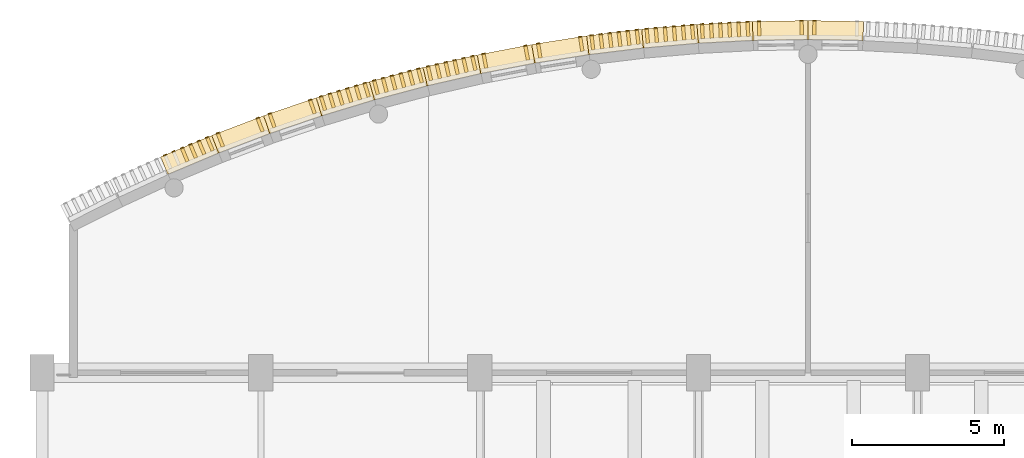
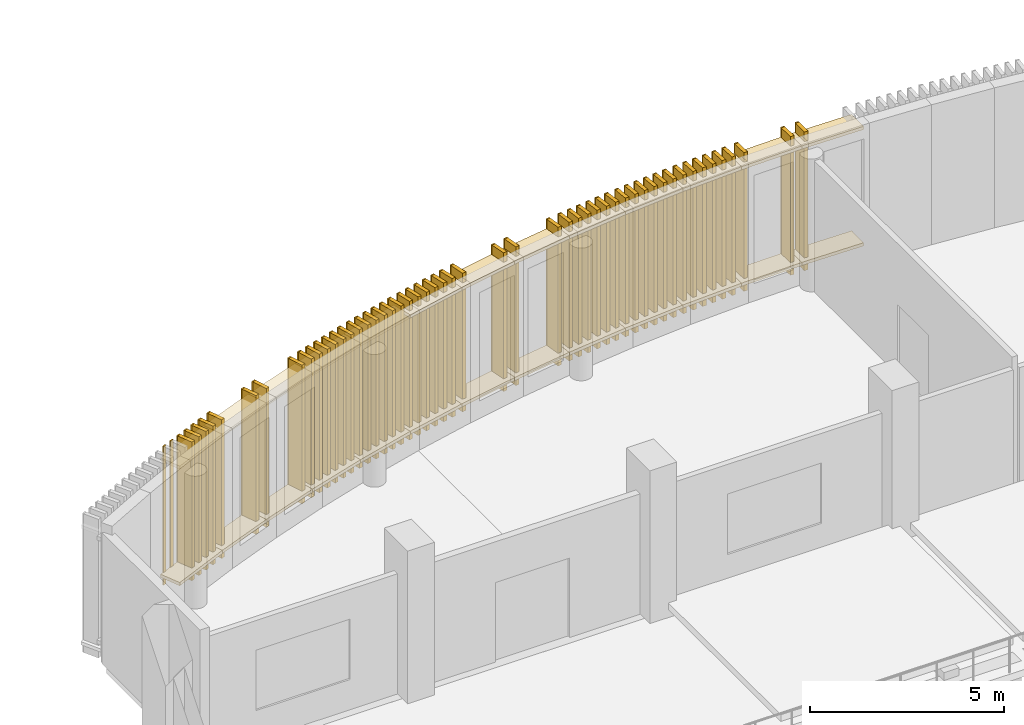
# One storey, part 66 of 71: 79 coverings, 51 shading devices.
"""IFC4 building model written with IfcOpenShell, lengths in metres."""

from ifc_helpers import new_model, si_unit, direction, frame, origin, origin_2d, place, context, subcontext, project, spatial, rectangle, extrude, material, layer, layer_set, type_object, element, save


model = new_model("IFC4")

# Units and contexts
model_context = context("Model", 3, precision=1e-05, world=origin(), true_north=direction((0.0, 1.0)))
body_context = subcontext(model_context, "Body", "Model", "MODEL_VIEW")
ifc_project = project(units=[si_unit("LENGTHUNIT", "METRE"), si_unit("AREAUNIT", "SQUARE_METRE"), si_unit("VOLUMEUNIT", "CUBIC_METRE"), si_unit("PLANEANGLEUNIT", "RADIAN"), si_unit("MASSUNIT", "GRAM", prefix="KILO")], contexts=[model_context])

# Site, building, storey
site_placement = place(None, origin())
site = spatial("IfcSite", under=ifc_project, at=site_placement, CompositionType="ELEMENT")
building_placement = place(site_placement, origin())
building = spatial("IfcBuilding", under=site, at=building_placement, Name="Sardonyx Promenade Sports Hall", CompositionType="ELEMENT")
storey_placement = place(building_placement, frame((0.0, 0.0, 16.0)))
storey = spatial("IfcBuildingStorey", under=building, at=storey_placement, Name="L03", CompositionType="ELEMENT", Elevation=16.0)

# Coverings
ifc_material_1 = material(Name="Glulam GL28h", Category="wood")
ifc_layer = layer(ifc_material_1, 0.110107421875)
ifc_layer_set = layer_set([ifc_layer], Name="Cov_Louvre_GL28h")
covering_type = type_object("IfcCoveringType", Name="Cov_Louvre_GL28h", PredefinedType="MOLDING", material=ifc_layer_set)
for number, where, z_axis, x_axis, name in (
    (1, (33.658447265625, 111.56884765625, 0.320068359375), (0.0, 0.0, 1.0), (0.921800239612, 0.387665214136, 0.0), "Bowed louvre carrier rail L03 CH03 #1"),
    (2, (33.658447265625, 111.56884765625, 3.97998046875), (0.0, 0.0, 1.0), (0.921800239612, 0.387665214136, 0.0), "Bowed louvre carrier rail L03 CH03 #2"),
):
    element("IfcCovering", number, at=place(storey_placement, frame(where, z_axis=z_axis, x_axis=x_axis)), inside=storey, type_object=covering_type, Name=name, PredefinedType="MOLDING", context=body_context, shape_type="SweptSolid", body=[
        extrude(rectangle(XDim=1.820068359375, YDim=0.6201171875, at=origin_2d()), origin(), (0.0, 0.0, 1.0), 0.10009765625),
    ])
for number, where, z_axis, x_axis, name in (
    (3, (32.846923828125, 111.56396484375, 0.02001953125), (0.0, 0.0, 1.0), (0.921800239612, 0.387665214136, 0.0), "Timber louvre nose molding L03 CH03 #1"),
    (4, (33.123291015625, 111.68017578125, 0.02001953125), (0.0, 0.0, 1.0), (0.921800239612, 0.387665214136, 0.0), "Timber louvre nose molding L03 CH03 #2"),
    (5, (33.39990234375, 111.796630859375, 0.02001953125), (0.0, 0.0, 1.0), (0.921800239612, 0.387665214136, 0.0), "Timber louvre nose molding L03 CH03 #3"),
    (6, (33.676513671875, 111.912841796875, 0.02001953125), (0.0, 0.0, 1.0), (0.921800239612, 0.387665214136, 0.0), "Timber louvre nose molding L03 CH03 #4"),
    (7, (33.953125, 112.029052734375, 0.02001953125), (0.0, 0.0, 1.0), (0.921800239612, 0.387665214136, 0.0), "Timber louvre nose molding L03 CH03 #5"),
    (8, (34.2294921875, 112.1455078125, 0.02001953125), (0.0, 0.0, 1.0), (0.921800239612, 0.387665214136, 0.0), "Timber louvre nose molding L03 CH03 #6"),
):
    element("IfcCovering", number, at=place(storey_placement, frame(where, z_axis=z_axis, x_axis=x_axis)), inside=storey, type_object=covering_type, Name=name, PredefinedType="MOLDING", context=body_context, shape_type="SweptSolid", body=[
        extrude(rectangle(XDim=0.110107421875, YDim=0.0400390625, at=origin_2d()), origin(), (0.0, 0.0, 1.0), 4.360107421875),
    ])
for number, where, z_axis, x_axis, name in (
    (9, (35.3447265625, 112.243896484375, 0.320068359375), (0.0, 0.0, 1.0), (0.934665678755, 0.355527873671, 0.0), "Bowed louvre carrier rail L03 CH04 #1"),
    (10, (35.3447265625, 112.243896484375, 3.97998046875), (0.0, 0.0, 1.0), (0.934665678755, 0.355527873671, 0.0), "Bowed louvre carrier rail L03 CH04 #2"),
):
    element("IfcCovering", number, at=place(storey_placement, frame(where, z_axis=z_axis, x_axis=x_axis)), inside=storey, type_object=covering_type, Name=name, PredefinedType="MOLDING", context=body_context, shape_type="SweptSolid", body=[
        extrude(rectangle(XDim=1.820068359375, YDim=0.6201171875, at=origin_2d()), origin(), (0.0, 0.0, 1.0), 0.10009765625),
    ])
for number, where, z_axis, x_axis, name in (
    (11, (34.580078125, 112.284912109375, 0.02001953125), (0.0, 0.0, 1.0), (0.934665678755, 0.355527873671, 0.0), "Timber louvre nose molding L03 CH04 #1"),
    (12, (35.888671875, 112.782470703125, 0.02001953125), (0.0, 0.0, 1.0), (0.934665678755, 0.355527873671, 0.0), "Timber louvre nose molding L03 CH04 #2"),
):
    element("IfcCovering", number, at=place(storey_placement, frame(where, z_axis=z_axis, x_axis=x_axis)), inside=storey, type_object=covering_type, Name=name, PredefinedType="MOLDING", context=body_context, shape_type="SweptSolid", body=[
        extrude(rectangle(XDim=0.110107421875, YDim=0.0400390625, at=origin_2d()), origin(), (0.0, 0.0, 1.0), 4.360107421875),
    ])
for number, where, z_axis, x_axis, name in (
    (13, (37.05322265625, 112.8603515625, 0.320068359375), (0.0, 0.0, 1.0), (0.946410517999, 0.322966145935, 0.0), "Bowed louvre carrier rail L03 CH05 #1"),
    (14, (37.05322265625, 112.8603515625, 3.97998046875), (0.0, 0.0, 1.0), (0.946410517999, 0.322966145935, 0.0), "Bowed louvre carrier rail L03 CH05 #2"),
):
    element("IfcCovering", number, at=place(storey_placement, frame(where, z_axis=z_axis, x_axis=x_axis)), inside=storey, type_object=covering_type, Name=name, PredefinedType="MOLDING", context=body_context, shape_type="SweptSolid", body=[
        extrude(rectangle(XDim=1.820068359375, YDim=0.6201171875, at=origin_2d()), origin(), (0.0, 0.0, 1.0), 0.10009765625),
    ])
for number, where, z_axis, x_axis, name in (
    (15, (36.29052734375, 112.927490234375, 0.02001953125), (0.0, 0.0, 1.0), (0.946410517999, 0.322966145935, 0.0), "Timber louvre nose molding L03 CH05 #1"),
    (16, (37.615478515625, 113.379638671875, 0.02001953125), (0.0, 0.0, 1.0), (0.946410517999, 0.322966145935, 0.0), "Timber louvre nose molding L03 CH05 #2"),
):
    element("IfcCovering", number, at=place(storey_placement, frame(where, z_axis=z_axis, x_axis=x_axis)), inside=storey, type_object=covering_type, Name=name, PredefinedType="MOLDING", context=body_context, shape_type="SweptSolid", body=[
        extrude(rectangle(XDim=0.110107421875, YDim=0.0400390625, at=origin_2d()), origin(), (0.0, 0.0, 1.0), 4.360107421875),
    ])
for number, where, z_axis, x_axis, name in (
    (17, (38.7822265625, 113.4169921875, 0.320068359375), (0.0, 0.0, 1.0), (0.957021361193, 0.290017437786, 0.0), "Bowed louvre carrier rail L03 CH06 #1"),
    (18, (38.7822265625, 113.4169921875, 3.97998046875), (0.0, 0.0, 1.0), (0.957021361193, 0.290017437786, 0.0), "Bowed louvre carrier rail L03 CH06 #2"),
):
    element("IfcCovering", number, at=place(storey_placement, frame(where, z_axis=z_axis, x_axis=x_axis)), inside=storey, type_object=covering_type, Name=name, PredefinedType="MOLDING", context=body_context, shape_type="SweptSolid", body=[
        extrude(rectangle(XDim=1.820068359375, YDim=0.6201171875, at=origin_2d()), origin(), (0.0, 0.0, 1.0), 0.10009765625),
    ])
for number, where, z_axis, x_axis, name in (
    (19, (37.974365234375, 113.49609375, 0.02001953125), (0.0, 0.0, 1.0), (0.957021361193, 0.290017437786, 0.0), "Timber louvre nose molding L03 CH06 #1"),
    (20, (38.261474609375, 113.583251953125, 0.02001953125), (0.0, 0.0, 1.0), (0.957021361193, 0.290017437786, 0.0), "Timber louvre nose molding L03 CH06 #2"),
    (21, (38.548583984375, 113.670166015625, 0.02001953125), (0.0, 0.0, 1.0), (0.957021361193, 0.290017437786, 0.0), "Timber louvre nose molding L03 CH06 #3"),
    (22, (38.835693359375, 113.757080078125, 0.02001953125), (0.0, 0.0, 1.0), (0.957021361193, 0.290017437786, 0.0), "Timber louvre nose molding L03 CH06 #4"),
    (23, (39.122802734375, 113.84423828125, 0.02001953125), (0.0, 0.0, 1.0), (0.957021361193, 0.290017437786, 0.0), "Timber louvre nose molding L03 CH06 #5"),
    (24, (39.409912109375, 113.93115234375, 0.02001953125), (0.0, 0.0, 1.0), (0.957021361193, 0.290017437786, 0.0), "Timber louvre nose molding L03 CH06 #6"),
):
    element("IfcCovering", number, at=place(storey_placement, frame(where, z_axis=z_axis, x_axis=x_axis)), inside=storey, type_object=covering_type, Name=name, PredefinedType="MOLDING", context=body_context, shape_type="SweptSolid", body=[
        extrude(rectangle(XDim=0.110107421875, YDim=0.0400390625, at=origin_2d()), origin(), (0.0, 0.0, 1.0), 4.360107421875),
    ])
for number, where, z_axis, x_axis, name in (
    (25, (40.529296875, 113.91357421875, 0.320068359375), (0.0, 0.0, 1.0), (0.966485494347, 0.256721228607, 0.0), "Bowed louvre carrier rail L03 CH07 #1"),
    (26, (40.529296875, 113.91357421875, 3.97998046875), (0.0, 0.0, 1.0), (0.966485494347, 0.256721228607, 0.0), "Bowed louvre carrier rail L03 CH07 #2"),
):
    element("IfcCovering", number, at=place(storey_placement, frame(where, z_axis=z_axis, x_axis=x_axis)), inside=storey, type_object=covering_type, Name=name, PredefinedType="MOLDING", context=body_context, shape_type="SweptSolid", body=[
        extrude(rectangle(XDim=1.820068359375, YDim=0.6201171875, at=origin_2d()), origin(), (0.0, 0.0, 1.0), 0.10009765625),
    ])
for number, where, z_axis, x_axis, name in (
    (27, (39.724853515625, 114.020751953125, 0.02001953125), (0.0, 0.0, 1.0), (0.966485494347, 0.256721228607, 0.0), "Timber louvre nose molding L03 CH07 #1"),
    (28, (40.0146484375, 114.09765625, 0.02001953125), (0.0, 0.0, 1.0), (0.966485494347, 0.256721228607, 0.0), "Timber louvre nose molding L03 CH07 #2"),
    (29, (40.3046875, 114.1748046875, 0.02001953125), (0.0, 0.0, 1.0), (0.966485494347, 0.256721228607, 0.0), "Timber louvre nose molding L03 CH07 #3"),
    (30, (40.5947265625, 114.251708984375, 0.02001953125), (0.0, 0.0, 1.0), (0.966485494347, 0.256721228607, 0.0), "Timber louvre nose molding L03 CH07 #4"),
    (31, (40.884521484375, 114.328857421875, 0.02001953125), (0.0, 0.0, 1.0), (0.966485494347, 0.256721228607, 0.0), "Timber louvre nose molding L03 CH07 #5"),
    (32, (41.174560546875, 114.40576171875, 0.02001953125), (0.0, 0.0, 1.0), (0.966485494347, 0.256721228607, 0.0), "Timber louvre nose molding L03 CH07 #6"),
):
    element("IfcCovering", number, at=place(storey_placement, frame(where, z_axis=z_axis, x_axis=x_axis)), inside=storey, type_object=covering_type, Name=name, PredefinedType="MOLDING", context=body_context, shape_type="SweptSolid", body=[
        extrude(rectangle(XDim=0.110107421875, YDim=0.0400390625, at=origin_2d()), origin(), (0.0, 0.0, 1.0), 4.360107421875),
    ])
for number, where, z_axis, x_axis, name in (
    (33, (42.29248046875, 114.349365234375, 0.320068359375), (0.0, 0.0, 1.0), (0.974791577465, 0.223117414163, 0.0), "Bowed louvre carrier rail L03 CH08 #1"),
    (34, (42.29248046875, 114.349365234375, 3.97998046875), (0.0, 0.0, 1.0), (0.974791577465, 0.223117414163, 0.0), "Bowed louvre carrier rail L03 CH08 #2"),
):
    element("IfcCovering", number, at=place(storey_placement, frame(where, z_axis=z_axis, x_axis=x_axis)), inside=storey, type_object=covering_type, Name=name, PredefinedType="MOLDING", context=body_context, shape_type="SweptSolid", body=[
        extrude(rectangle(XDim=1.820068359375, YDim=0.6201171875, at=origin_2d()), origin(), (0.0, 0.0, 1.0), 0.10009765625),
    ])
for number, where, z_axis, x_axis, name in (
    (35, (41.4921875, 114.484375, 0.02001953125), (0.0, 0.0, 1.0), (0.974791577465, 0.223117414163, 0.0), "Timber louvre nose molding L03 CH08 #1"),
    (36, (41.78466796875, 114.55126953125, 0.02001953125), (0.0, 0.0, 1.0), (0.974791577465, 0.223117414163, 0.0), "Timber louvre nose molding L03 CH08 #2"),
    (37, (42.0771484375, 114.6181640625, 0.02001953125), (0.0, 0.0, 1.0), (0.974791577465, 0.223117414163, 0.0), "Timber louvre nose molding L03 CH08 #3"),
    (38, (42.36962890625, 114.68505859375, 0.02001953125), (0.0, 0.0, 1.0), (0.974791577465, 0.223117414163, 0.0), "Timber louvre nose molding L03 CH08 #4"),
    (39, (42.662109375, 114.751953125, 0.02001953125), (0.0, 0.0, 1.0), (0.974791577465, 0.223117414163, 0.0), "Timber louvre nose molding L03 CH08 #5"),
    (40, (42.95458984375, 114.819091796875, 0.02001953125), (0.0, 0.0, 1.0), (0.974791577465, 0.223117414163, 0.0), "Timber louvre nose molding L03 CH08 #6"),
):
    element("IfcCovering", number, at=place(storey_placement, frame(where, z_axis=z_axis, x_axis=x_axis)), inside=storey, type_object=covering_type, Name=name, PredefinedType="MOLDING", context=body_context, shape_type="SweptSolid", body=[
        extrude(rectangle(XDim=0.110107421875, YDim=0.0400390625, at=origin_2d()), origin(), (0.0, 0.0, 1.0), 4.360107421875),
    ])
for number, where, z_axis, x_axis, name in (
    (41, (44.06982421875, 114.72412109375, 0.320068359375), (0.0, 0.0, 1.0), (0.981929658139, 0.18924625879, 0.0), "Bowed louvre carrier rail L03 CH09 #1"),
    (42, (44.06982421875, 114.72412109375, 3.97998046875), (0.0, 0.0, 1.0), (0.981929658139, 0.18924625879, 0.0), "Bowed louvre carrier rail L03 CH09 #2"),
):
    element("IfcCovering", number, at=place(storey_placement, frame(where, z_axis=z_axis, x_axis=x_axis)), inside=storey, type_object=covering_type, Name=name, PredefinedType="MOLDING", context=body_context, shape_type="SweptSolid", body=[
        extrude(rectangle(XDim=1.820068359375, YDim=0.6201171875, at=origin_2d()), origin(), (0.0, 0.0, 1.0), 0.10009765625),
    ])
for number, where, z_axis, x_axis, name in (
    (43, (43.32373046875, 114.89599609375, 0.02001953125), (0.0, 0.0, 1.0), (0.981929658139, 0.18924625879, 0.0), "Timber louvre nose molding L03 CH09 #1"),
    (44, (44.698486328125, 115.160888671875, 0.02001953125), (0.0, 0.0, 1.0), (0.981929658139, 0.18924625879, 0.0), "Timber louvre nose molding L03 CH09 #2"),
):
    element("IfcCovering", number, at=place(storey_placement, frame(where, z_axis=z_axis, x_axis=x_axis)), inside=storey, type_object=covering_type, Name=name, PredefinedType="MOLDING", context=body_context, shape_type="SweptSolid", body=[
        extrude(rectangle(XDim=0.110107421875, YDim=0.0400390625, at=origin_2d()), origin(), (0.0, 0.0, 1.0), 4.360107421875),
    ])
for number, where, z_axis, x_axis, name in (
    (45, (45.859130859375, 115.036865234375, 0.320068359375), (0.0, 0.0, 1.0), (0.987891183468, 0.155148347157, 0.0), "Bowed louvre carrier rail L03 CH10 #1"),
    (46, (45.859130859375, 115.036865234375, 3.97998046875), (0.0, 0.0, 1.0), (0.987891183468, 0.155148347157, 0.0), "Bowed louvre carrier rail L03 CH10 #2"),
):
    element("IfcCovering", number, at=place(storey_placement, frame(where, z_axis=z_axis, x_axis=x_axis)), inside=storey, type_object=covering_type, Name=name, PredefinedType="MOLDING", context=body_context, shape_type="SweptSolid", body=[
        extrude(rectangle(XDim=1.820068359375, YDim=0.6201171875, at=origin_2d()), origin(), (0.0, 0.0, 1.0), 0.10009765625),
    ])
for number, where, z_axis, x_axis, name in (
    (47, (45.119384765625, 115.234375, 0.02001953125), (0.0, 0.0, 1.0), (0.987891183468, 0.155148347157, 0.0), "Timber louvre nose molding L03 CH10 #1"),
    (48, (46.50244140625, 115.45166015625, 0.02001953125), (0.0, 0.0, 1.0), (0.987891183468, 0.155148347157, 0.0), "Timber louvre nose molding L03 CH10 #2"),
):
    element("IfcCovering", number, at=place(storey_placement, frame(where, z_axis=z_axis, x_axis=x_axis)), inside=storey, type_object=covering_type, Name=name, PredefinedType="MOLDING", context=body_context, shape_type="SweptSolid", body=[
        extrude(rectangle(XDim=0.110107421875, YDim=0.0400390625, at=origin_2d()), origin(), (0.0, 0.0, 1.0), 4.360107421875),
    ])
for number, where, z_axis, x_axis, name in (
    (49, (47.657958984375, 115.28759765625, 0.320068359375), (0.0, 0.0, 1.0), (0.992669221255, 0.120862803098, 0.0), "Bowed louvre carrier rail L03 CH11 #1"),
    (50, (47.657958984375, 115.28759765625, 3.97998046875), (0.0, 0.0, 1.0), (0.992669221255, 0.120862803098, 0.0), "Bowed louvre carrier rail L03 CH11 #2"),
):
    element("IfcCovering", number, at=place(storey_placement, frame(where, z_axis=z_axis, x_axis=x_axis)), inside=storey, type_object=covering_type, Name=name, PredefinedType="MOLDING", context=body_context, shape_type="SweptSolid", body=[
        extrude(rectangle(XDim=1.820068359375, YDim=0.6201171875, at=origin_2d()), origin(), (0.0, 0.0, 1.0), 0.10009765625),
    ])
for number, where, z_axis, x_axis, name in (
    (51, (46.8759765625, 115.504638671875, 0.02001953125), (0.0, 0.0, 1.0), (0.992669221255, 0.120862803098, 0.0), "Timber louvre nose molding L03 CH11 #1"),
    (52, (47.173828125, 115.540771484375, 0.02001953125), (0.0, 0.0, 1.0), (0.992669221255, 0.120862803098, 0.0), "Timber louvre nose molding L03 CH11 #2"),
    (53, (47.4716796875, 115.5771484375, 0.02001953125), (0.0, 0.0, 1.0), (0.992669221255, 0.120862803098, 0.0), "Timber louvre nose molding L03 CH11 #3"),
    (54, (47.76953125, 115.61328125, 0.02001953125), (0.0, 0.0, 1.0), (0.992669221255, 0.120862803098, 0.0), "Timber louvre nose molding L03 CH11 #4"),
    (55, (48.067138671875, 115.649658203125, 0.02001953125), (0.0, 0.0, 1.0), (0.992669221255, 0.120862803098, 0.0), "Timber louvre nose molding L03 CH11 #5"),
    (56, (48.364990234375, 115.68603515625, 0.02001953125), (0.0, 0.0, 1.0), (0.992669221255, 0.120862803098, 0.0), "Timber louvre nose molding L03 CH11 #6"),
):
    element("IfcCovering", number, at=place(storey_placement, frame(where, z_axis=z_axis, x_axis=x_axis)), inside=storey, type_object=covering_type, Name=name, PredefinedType="MOLDING", context=body_context, shape_type="SweptSolid", body=[
        extrude(rectangle(XDim=0.110107421875, YDim=0.0400390625, at=origin_2d()), origin(), (0.0, 0.0, 1.0), 4.360107421875),
    ])
for number, where, z_axis, x_axis, name in (
    (57, (49.464599609375, 115.475830078125, 0.320068359375), (0.0, 0.0, 1.0), (0.99625756469, 0.086434164533, 0.0), "Bowed louvre carrier rail L03 CH12 #1"),
    (58, (49.464599609375, 115.475830078125, 3.97998046875), (0.0, 0.0, 1.0), (0.99625756469, 0.086434164533, 0.0), "Bowed louvre carrier rail L03 CH12 #2"),
):
    element("IfcCovering", number, at=place(storey_placement, frame(where, z_axis=z_axis, x_axis=x_axis)), inside=storey, type_object=covering_type, Name=name, PredefinedType="MOLDING", context=body_context, shape_type="SweptSolid", body=[
        extrude(rectangle(XDim=1.820068359375, YDim=0.6201171875, at=origin_2d()), origin(), (0.0, 0.0, 1.0), 0.10009765625),
    ])
for number, where, z_axis, x_axis, name in (
    (59, (48.690673828125, 115.7197265625, 0.02001953125), (0.0, 0.0, 1.0), (0.99625756469, 0.086434164533, 0.0), "Timber louvre nose molding L03 CH12 #1"),
    (60, (48.989501953125, 115.745849609375, 0.02001953125), (0.0, 0.0, 1.0), (0.99625756469, 0.086434164533, 0.0), "Timber louvre nose molding L03 CH12 #2"),
    (61, (49.288330078125, 115.771728515625, 0.02001953125), (0.0, 0.0, 1.0), (0.99625756469, 0.086434164533, 0.0), "Timber louvre nose molding L03 CH12 #3"),
    (62, (49.587158203125, 115.797607421875, 0.02001953125), (0.0, 0.0, 1.0), (0.99625756469, 0.086434164533, 0.0), "Timber louvre nose molding L03 CH12 #4"),
    (63, (49.885986328125, 115.823486328125, 0.02001953125), (0.0, 0.0, 1.0), (0.99625756469, 0.086434164533, 0.0), "Timber louvre nose molding L03 CH12 #5"),
    (64, (50.18505859375, 115.849609375, 0.02001953125), (0.0, 0.0, 1.0), (0.99625756469, 0.086434164533, 0.0), "Timber louvre nose molding L03 CH12 #6"),
):
    element("IfcCovering", number, at=place(storey_placement, frame(where, z_axis=z_axis, x_axis=x_axis)), inside=storey, type_object=covering_type, Name=name, PredefinedType="MOLDING", context=body_context, shape_type="SweptSolid", body=[
        extrude(rectangle(XDim=0.110107421875, YDim=0.0400390625, at=origin_2d()), origin(), (0.0, 0.0, 1.0), 4.360107421875),
    ])
for number, where, z_axis, x_axis, name in (
    (65, (51.276611328125, 115.6015625, 0.320068359375), (0.0, 0.0, 1.0), (0.998652184976, 0.051901959917, 0.0), "Bowed louvre carrier rail L03 CH13 #1"),
    (66, (51.276611328125, 115.6015625, 3.97998046875), (0.0, 0.0, 1.0), (0.998652184976, 0.051901959917, 0.0), "Bowed louvre carrier rail L03 CH13 #2"),
):
    element("IfcCovering", number, at=place(storey_placement, frame(where, z_axis=z_axis, x_axis=x_axis)), inside=storey, type_object=covering_type, Name=name, PredefinedType="MOLDING", context=body_context, shape_type="SweptSolid", body=[
        extrude(rectangle(XDim=1.820068359375, YDim=0.6201171875, at=origin_2d()), origin(), (0.0, 0.0, 1.0), 0.10009765625),
    ])
for number, where, z_axis, x_axis, name in (
    (67, (50.511474609375, 115.8720703125, 0.02001953125), (0.0, 0.0, 1.0), (0.998652184976, 0.051901959917, 0.0), "Timber louvre nose molding L03 CH13 #1"),
    (68, (50.81103515625, 115.8876953125, 0.02001953125), (0.0, 0.0, 1.0), (0.998652184976, 0.051901959917, 0.0), "Timber louvre nose molding L03 CH13 #2"),
    (69, (51.110595703125, 115.9033203125, 0.02001953125), (0.0, 0.0, 1.0), (0.998652184976, 0.051901959917, 0.0), "Timber louvre nose molding L03 CH13 #3"),
    (70, (51.41015625, 115.9189453125, 0.02001953125), (0.0, 0.0, 1.0), (0.998652184976, 0.051901959917, 0.0), "Timber louvre nose molding L03 CH13 #4"),
    (71, (51.7099609375, 115.934326171875, 0.02001953125), (0.0, 0.0, 1.0), (0.998652184976, 0.051901959917, 0.0), "Timber louvre nose molding L03 CH13 #5"),
    (72, (52.009521484375, 115.949951171875, 0.02001953125), (0.0, 0.0, 1.0), (0.998652184976, 0.051901959917, 0.0), "Timber louvre nose molding L03 CH13 #6"),
):
    element("IfcCovering", number, at=place(storey_placement, frame(where, z_axis=z_axis, x_axis=x_axis)), inside=storey, type_object=covering_type, Name=name, PredefinedType="MOLDING", context=body_context, shape_type="SweptSolid", body=[
        extrude(rectangle(XDim=0.110107421875, YDim=0.0400390625, at=origin_2d()), origin(), (0.0, 0.0, 1.0), 4.360107421875),
    ])
for number, where, z_axis, x_axis, name in (
    (73, (53.091796875, 115.664306640625, 0.320068359375), (0.0, 0.0, 1.0), (0.999850212862, 0.01730756599, 0.0), "Bowed louvre carrier rail L03 CH14 #1"),
    (74, (53.091796875, 115.664306640625, 3.97998046875), (0.0, 0.0, 1.0), (0.999850212862, 0.01730756599, 0.0), "Bowed louvre carrier rail L03 CH14 #2"),
):
    element("IfcCovering", number, at=place(storey_placement, frame(where, z_axis=z_axis, x_axis=x_axis)), inside=storey, type_object=covering_type, Name=name, PredefinedType="MOLDING", context=body_context, shape_type="SweptSolid", body=[
        extrude(rectangle(XDim=1.820068359375, YDim=0.6201171875, at=origin_2d()), origin(), (0.0, 0.0, 1.0), 0.10009765625),
    ])
for number, where, z_axis, x_axis, name in (
    (75, (52.386474609375, 115.962158203125, 0.02001953125), (0.0, 0.0, 1.0), (0.999850212862, 0.01730756599, 0.0), "Timber louvre nose molding L03 CH14 #1"),
    (76, (53.786376953125, 115.986328125, 0.02001953125), (0.0, 0.0, 1.0), (0.999850212862, 0.01730756599, 0.0), "Timber louvre nose molding L03 CH14 #2"),
):
    element("IfcCovering", number, at=place(storey_placement, frame(where, z_axis=z_axis, x_axis=x_axis)), inside=storey, type_object=covering_type, Name=name, PredefinedType="MOLDING", context=body_context, shape_type="SweptSolid", body=[
        extrude(rectangle(XDim=0.110107421875, YDim=0.0400390625, at=origin_2d()), origin(), (0.0, 0.0, 1.0), 4.360107421875),
    ])
for number, where, z_axis, x_axis, name in (
    (77, (54.908203125, 115.664306640625, 0.320068359375), (0.0, 0.0, 1.0), (0.999850212862, -0.01730756599, 0.0), "Bowed louvre carrier rail L03 CH15 #1"),
    (78, (54.908203125, 115.664306640625, 3.97998046875), (0.0, 0.0, 1.0), (0.999850212862, -0.01730756599, 0.0), "Bowed louvre carrier rail L03 CH15 #2"),
):
    element("IfcCovering", number, at=place(storey_placement, frame(where, z_axis=z_axis, x_axis=x_axis)), inside=storey, type_object=covering_type, Name=name, PredefinedType="MOLDING", context=body_context, shape_type="SweptSolid", body=[
        extrude(rectangle(XDim=1.820068359375, YDim=0.6201171875, at=origin_2d()), origin(), (0.0, 0.0, 1.0), 0.10009765625),
    ])
covering_placement = place(storey_placement, frame((54.213623046875, 115.986328125, 0.02001953125), z_axis=(0.0, 0.0, 1.0), x_axis=(0.999850212862, -0.01730756599, 0.0)))
element("IfcCovering", 79, at=covering_placement, inside=storey, type_object=covering_type, Name="Timber louvre nose molding L03 CH15 #1", PredefinedType="MOLDING", context=body_context, shape_type="SweptSolid", body=[
    extrude(rectangle(XDim=0.110107421875, YDim=0.0400390625, at=origin_2d()), origin(), (0.0, 0.0, 1.0), 4.360107421875),
])

# Shading devices
ifc_material_2 = material(Name="Glulam GL28h", Category="wood")
shading_device_type_1 = type_object("IfcShadingDeviceType", Name="Shade_Fin_GL28h", PredefinedType="USERDEFINED", material=ifc_material_2)
for number, where, z_axis, x_axis, name in (
    (80, (34.669025, 112.051168, 0.02), (0.0, 0.0, 1.0), (0.93466568, 0.35552787, 0.0), "Timber fin TF01 L03 CH04 #1"),
    (81, (35.977557, 112.548908, 0.02), (0.0, 0.0, 1.0), (0.93466568, 0.35552787, 0.0), "Timber fin TF01 L03 CH04 #2"),
    (82, (36.371355, 112.690949, 0.02), (0.0, 0.0, 1.0), (0.94641052, 0.32296615, 0.0), "Timber fin TF01 L03 CH05 #1"),
    (83, (37.696329, 113.143102, 0.02), (0.0, 0.0, 1.0), (0.94641052, 0.32296615, 0.0), "Timber fin TF01 L03 CH05 #2"),
    (84, (43.371143, 114.650467, 0.02), (0.0, 0.0, 1.0), (0.98192966, 0.18924626, 0.0), "Timber fin TF01 L03 CH09 #1"),
    (85, (44.745845, 114.915412, 0.02), (0.0, 0.0, 1.0), (0.98192966, 0.18924626, 0.0), "Timber fin TF01 L03 CH09 #2"),
    (86, (45.158221, 114.98751, 0.02), (0.0, 0.0, 1.0), (0.98789118, 0.15514835, 0.0), "Timber fin TF01 L03 CH10 #1"),
    (87, (46.541269, 115.204717, 0.02), (0.0, 0.0, 1.0), (0.98789118, 0.15514835, 0.0), "Timber fin TF01 L03 CH10 #2"),
    (88, (52.390894, 115.712227, 0.02), (0.0, 0.0, 1.0), (0.99985021, 0.01730757, 0.0), "Timber fin TF01 L03 CH14 #1"),
    (89, (53.790684, 115.736458, 0.02), (0.0, 0.0, 1.0), (0.99985021, 0.01730757, 0.0), "Timber fin TF01 L03 CH14 #2"),
    (90, (54.209316, 115.736458, 0.02), (0.0, 0.0, 1.0), (0.99985021, -0.01730757, 0.0), "Timber fin TF01 L03 CH15 #1"),
):
    element("IfcShadingDevice", number, at=place(storey_placement, frame(where, z_axis=z_axis, x_axis=x_axis)), inside=storey, type_object=shading_device_type_1, material=ifc_material_2, Name=name, ObjectType="FIN", PredefinedType="USERDEFINED", context=body_context, shape_type="SweptSolid", body=[
        extrude(rectangle(XDim=0.11, YDim=0.46), origin(), (0.0, 0.0, 1.0), 4.36),
    ])
shading_device_type_2 = type_object("IfcShadingDeviceType", Name="Shade_Louvre_GL28h", PredefinedType="USERDEFINED", material=ifc_material_2)
for number, where, z_axis, x_axis, name in (
    (91, (33.496847, 111.566067, 0.02), (0.0, 0.0, 1.0), (0.92180024, 0.38766521, 0.0), "Timber louvre TL01 L03 CH03 #3"),
    (92, (33.773387, 111.682366, 0.02), (0.0, 0.0, 1.0), (0.92180024, 0.38766521, 0.0), "Timber louvre TL01 L03 CH03 #4"),
    (93, (34.049927, 111.798666, 0.02), (0.0, 0.0, 1.0), (0.92180024, 0.38766521, 0.0), "Timber louvre TL01 L03 CH03 #5"),
    (94, (34.326468, 111.914965, 0.02), (0.0, 0.0, 1.0), (0.92180024, 0.38766521, 0.0), "Timber louvre TL01 L03 CH03 #6"),
    (95, (38.046957, 113.256928, 0.02), (0.0, 0.0, 1.0), (0.95702136, 0.29001744, 0.0), "Timber louvre TL01 L03 CH06 #1"),
    (96, (38.334063, 113.343933, 0.02), (0.0, 0.0, 1.0), (0.95702136, 0.29001744, 0.0), "Timber louvre TL01 L03 CH06 #2"),
    (97, (38.621169, 113.430939, 0.02), (0.0, 0.0, 1.0), (0.95702136, 0.29001744, 0.0), "Timber louvre TL01 L03 CH06 #3"),
    (98, (38.908276, 113.517944, 0.02), (0.0, 0.0, 1.0), (0.95702136, 0.29001744, 0.0), "Timber louvre TL01 L03 CH06 #4"),
    (99, (39.195382, 113.60495, 0.02), (0.0, 0.0, 1.0), (0.95702136, 0.29001744, 0.0), "Timber louvre TL01 L03 CH06 #5"),
    (100, (39.482488, 113.691955, 0.02), (0.0, 0.0, 1.0), (0.95702136, 0.29001744, 0.0), "Timber louvre TL01 L03 CH06 #6"),
    (101, (39.788994, 113.779076, 0.02), (0.0, 0.0, 1.0), (0.96648549, 0.25672123, 0.0), "Timber louvre TL01 L03 CH07 #1"),
    (102, (40.07894, 113.856093, 0.02), (0.0, 0.0, 1.0), (0.96648549, 0.25672123, 0.0), "Timber louvre TL01 L03 CH07 #2"),
    (103, (40.368885, 113.933109, 0.02), (0.0, 0.0, 1.0), (0.96648549, 0.25672123, 0.0), "Timber louvre TL01 L03 CH07 #3"),
    (104, (40.658831, 114.010126, 0.02), (0.0, 0.0, 1.0), (0.96648549, 0.25672123, 0.0), "Timber louvre TL01 L03 CH07 #4"),
    (105, (40.948777, 114.087142, 0.02), (0.0, 0.0, 1.0), (0.96648549, 0.25672123, 0.0), "Timber louvre TL01 L03 CH07 #5"),
    (106, (41.238722, 114.164159, 0.02), (0.0, 0.0, 1.0), (0.96648549, 0.25672123, 0.0), "Timber louvre TL01 L03 CH07 #6"),
    (107, (41.54806, 114.24062, 0.02), (0.0, 0.0, 1.0), (0.97479158, 0.22311741, 0.0), "Timber louvre TL01 L03 CH08 #1"),
    (108, (41.840498, 114.307555, 0.02), (0.0, 0.0, 1.0), (0.97479158, 0.22311741, 0.0), "Timber louvre TL01 L03 CH08 #2"),
    (109, (42.132935, 114.37449, 0.02), (0.0, 0.0, 1.0), (0.97479158, 0.22311741, 0.0), "Timber louvre TL01 L03 CH08 #3"),
    (110, (42.425373, 114.441426, 0.02), (0.0, 0.0, 1.0), (0.97479158, 0.22311741, 0.0), "Timber louvre TL01 L03 CH08 #4"),
    (111, (42.71781, 114.508361, 0.02), (0.0, 0.0, 1.0), (0.97479158, 0.22311741, 0.0), "Timber louvre TL01 L03 CH08 #5"),
    (112, (43.010248, 114.575296, 0.02), (0.0, 0.0, 1.0), (0.97479158, 0.22311741, 0.0), "Timber louvre TL01 L03 CH08 #6"),
    (113, (46.906262, 115.256456, 0.02), (0.0, 0.0, 1.0), (0.99266922, 0.1208628, 0.0), "Timber louvre TL01 L03 CH11 #1"),
    (114, (47.204063, 115.292715, 0.02), (0.0, 0.0, 1.0), (0.99266922, 0.1208628, 0.0), "Timber louvre TL01 L03 CH11 #2"),
    (115, (47.501864, 115.328974, 0.02), (0.0, 0.0, 1.0), (0.99266922, 0.1208628, 0.0), "Timber louvre TL01 L03 CH11 #3"),
    (116, (47.799664, 115.365233, 0.02), (0.0, 0.0, 1.0), (0.99266922, 0.1208628, 0.0), "Timber louvre TL01 L03 CH11 #4"),
    (117, (48.097465, 115.401492, 0.02), (0.0, 0.0, 1.0), (0.99266922, 0.1208628, 0.0), "Timber louvre TL01 L03 CH11 #5"),
    (118, (48.395266, 115.437751, 0.02), (0.0, 0.0, 1.0), (0.99266922, 0.1208628, 0.0), "Timber louvre TL01 L03 CH11 #6"),
    (119, (48.712196, 115.470783, 0.02), (0.0, 0.0, 1.0), (0.99625756, 0.08643416, 0.0), "Timber louvre TL01 L03 CH12 #1"),
    (120, (49.011073, 115.496714, 0.02), (0.0, 0.0, 1.0), (0.99625756, 0.08643416, 0.0), "Timber louvre TL01 L03 CH12 #2"),
    (121, (49.30995, 115.522644, 0.02), (0.0, 0.0, 1.0), (0.99625756, 0.08643416, 0.0), "Timber louvre TL01 L03 CH12 #3"),
    (122, (49.608827, 115.548575, 0.02), (0.0, 0.0, 1.0), (0.99625756, 0.08643416, 0.0), "Timber louvre TL01 L03 CH12 #4"),
    (123, (49.907705, 115.574505, 0.02), (0.0, 0.0, 1.0), (0.99625756, 0.08643416, 0.0), "Timber louvre TL01 L03 CH12 #5"),
    (124, (50.206582, 115.600436, 0.02), (0.0, 0.0, 1.0), (0.99625756, 0.08643416, 0.0), "Timber louvre TL01 L03 CH12 #6"),
    (125, (50.524467, 115.62248, 0.02), (0.0, 0.0, 1.0), (0.99865218, 0.05190196, 0.0), "Timber louvre TL01 L03 CH13 #1"),
    (126, (50.824062, 115.63805, 0.02), (0.0, 0.0, 1.0), (0.99865218, 0.05190196, 0.0), "Timber louvre TL01 L03 CH13 #2"),
    (127, (51.123658, 115.653621, 0.02), (0.0, 0.0, 1.0), (0.99865218, 0.05190196, 0.0), "Timber louvre TL01 L03 CH13 #3"),
    (128, (51.423254, 115.669192, 0.02), (0.0, 0.0, 1.0), (0.99865218, 0.05190196, 0.0), "Timber louvre TL01 L03 CH13 #4"),
    (129, (51.722849, 115.684762, 0.02), (0.0, 0.0, 1.0), (0.99865218, 0.05190196, 0.0), "Timber louvre TL01 L03 CH13 #5"),
    (130, (52.022445, 115.700333, 0.02), (0.0, 0.0, 1.0), (0.99865218, 0.05190196, 0.0), "Timber louvre TL01 L03 CH13 #6"),
):
    element("IfcShadingDevice", number, at=place(storey_placement, frame(where, z_axis=z_axis, x_axis=x_axis)), inside=storey, type_object=shading_device_type_2, material=ifc_material_2, Name=name, ObjectType="LOUVRE", PredefinedType="USERDEFINED", context=body_context, shape_type="SweptSolid", body=[
        extrude(rectangle(XDim=0.11, YDim=0.46), origin(), (0.0, 0.0, 1.0), 4.36),
    ])

save(model, "model.ifc")
